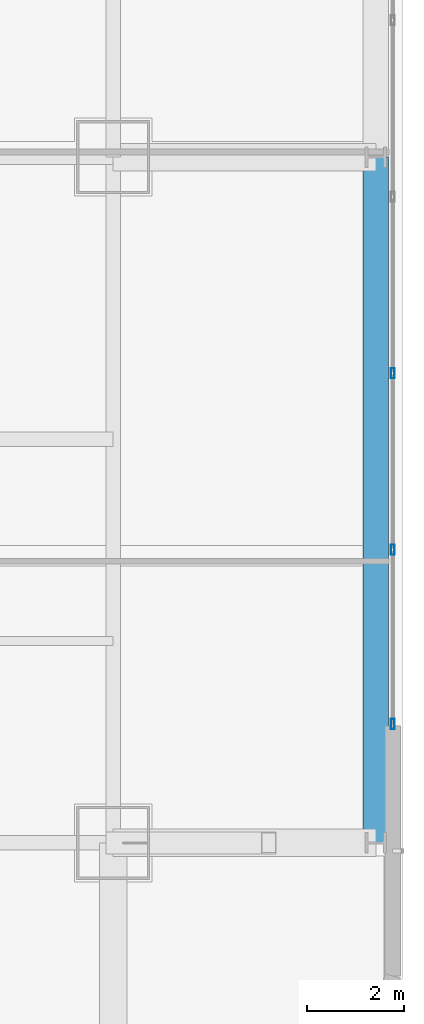
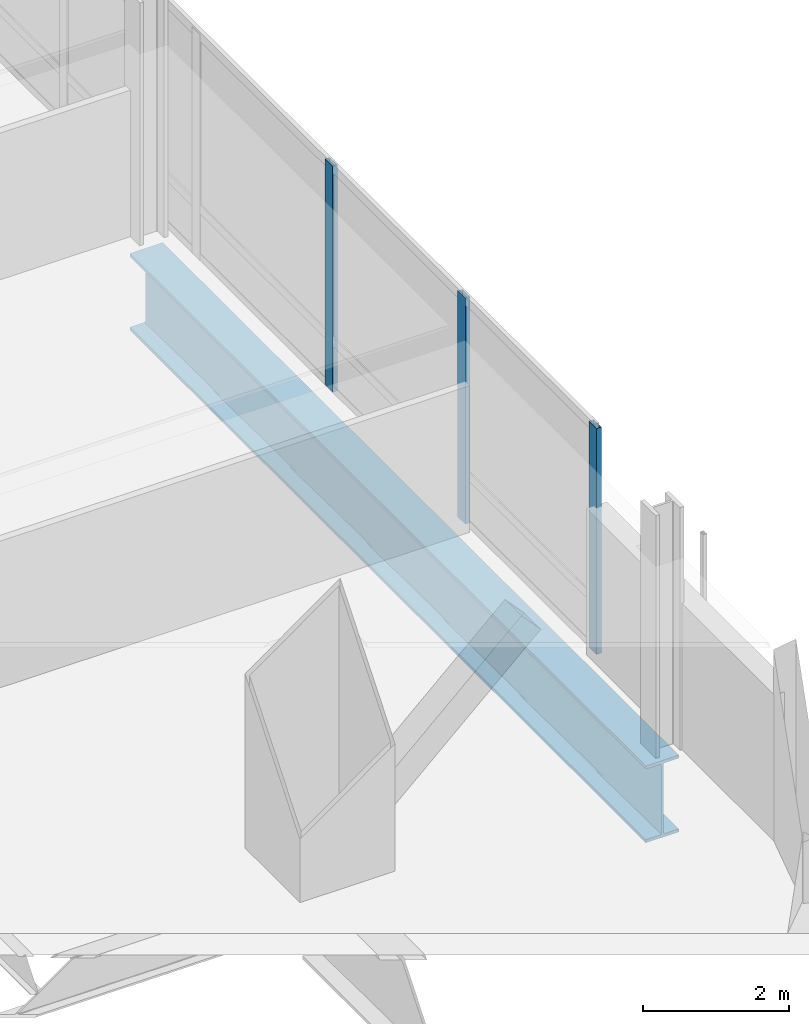
# One storey, part 14 of 42: 3 members, 1 beam, 1 element without a shape of its own.
"""IFC4 building model written with IfcOpenShell, lengths in metres."""

from ifc_helpers import new_model, si_unit, direction, frame, origin, origin_2d, place, context, subcontext, project, spatial, hollow_rectangle, i_section, extrude, material, material_profile, profile_set, type_object, element, aggregate, save


model = new_model("IFC4")

# Units and contexts
model_context = context("Model", 3, precision=1e-05, world=origin(), true_north=direction((0.0, 1.0)))
body_context = subcontext(model_context, "Body", "Model", "MODEL_VIEW")
ifc_project = project(units=[si_unit("LENGTHUNIT", "METRE"), si_unit("AREAUNIT", "SQUARE_METRE"), si_unit("VOLUMEUNIT", "CUBIC_METRE"), si_unit("PLANEANGLEUNIT", "RADIAN"), si_unit("MASSUNIT", "GRAM", prefix="KILO")], contexts=[model_context])

# Site, building, storey
site_placement = place(None, origin())
site = spatial("IfcSite", under=ifc_project, at=site_placement, CompositionType="ELEMENT")
building_placement = place(site_placement, origin())
building = spatial("IfcBuilding", under=site, at=building_placement, Name="Punatoya Terracotta Tower", CompositionType="ELEMENT")
storey_placement = place(building_placement, frame((0.0, 0.0, 88.949951171875)))
storey = spatial("IfcBuildingStorey", under=building, at=storey_placement, Name="L20", CompositionType="ELEMENT", Elevation=88.949951171875)

# Beam
ifc_material_1 = material(Name="Steel S460", Category="steel")
ifc_material_profile_1 = material_profile(ifc_material_1, i_section(OverallWidth=0.52001953125, OverallDepth=1.280029296875, WebThickness=0.031982421875, FlangeThickness=0.050048828125, FilletRadius=0.01806640625, at=origin_2d()))
ifc_profile_set_1 = profile_set([ifc_material_profile_1], Name="Steel S460")
beam_type = type_object("IfcBeamType", Name="BM-TG-NCK", PredefinedType="BEAM", material=ifc_profile_set_1)
beam_placement = place(storey_placement, frame((24.5, -17.5, -0.8798828125), z_axis=(0.0, 1.0, 0.0), x_axis=(-1.0, 0.0, 0.0)))
element("IfcBeam", 1, at=beam_placement, inside=storey, type_object=beam_type, Name="BM-L20-PER-E1", PredefinedType="BEAM", context=body_context, shape_type="SweptSolid", body=[
    extrude(i_section(OverallWidth=0.52001953125, OverallDepth=1.280029296875, WebThickness=0.031982421875, FlangeThickness=0.050048828125, FilletRadius=0.01806640625, at=origin_2d()), origin(), (0.0, 0.0, 1.0), 14.10009765625),
])

# Curtain wall, members
ifc_material_2 = material(Name="Aluminium 6063-T6 + Double Low-E Glass", Category="aluminium")
curtain_wall_type = type_object("IfcCurtainWallType", Name="CW-M1", PredefinedType="NOTDEFINED", material=ifc_material_2)
curtain_wall_placement = place(storey_placement, origin())
curtain_wall = element("IfcCurtainWall", 2, at=curtain_wall_placement, inside=storey, type_object=curtain_wall_type, Name="L20 Curtain Wall CW-L20-E05-1", PredefinedType="NOTDEFINED")
ifc_material_3 = material(Name="Aluminium 6063-T6", Category="aluminium")
ifc_material_profile_2 = material_profile(ifc_material_3, hollow_rectangle(XDim=0.074951171875, YDim=0.2099609375, WallThickness=0.00439453125, at=origin_2d()))
ifc_profile_set_2 = profile_set([ifc_material_profile_2], Name="Aluminium 6063-T6")
member_type = type_object("IfcMemberType", Name="CW-MUL-M1", PredefinedType="MULLION", material=ifc_profile_set_2)
member_1_placement = place(storey_placement, frame((24.85009765625, -15.054931640625, 0.0), z_axis=(0.0, 0.0, 1.0), x_axis=(1.0, 0.0, 0.0)))
member_1 = element("IfcMember", 3, at=member_1_placement, type_object=member_type, Name="CW-L20-E05-1 Mullion 00", PredefinedType="MULLION", context=body_context, shape_type="SweptSolid", body=[
    extrude(hollow_rectangle(XDim=0.074951171875, YDim=0.2099609375, WallThickness=0.00439453125, at=origin_2d()), origin(), (0.0, 0.0, 1.0), 3.77001953125),
])
member_2_placement = place(storey_placement, frame((24.85009765625, -11.471435546875, 0.0), z_axis=(0.0, 0.0, 1.0), x_axis=(1.0, 0.0, 0.0)))
member_2 = element("IfcMember", 4, at=member_2_placement, type_object=member_type, Name="CW-L20-E05-1 Mullion 01", PredefinedType="MULLION", context=body_context, shape_type="SweptSolid", body=[
    extrude(hollow_rectangle(XDim=0.074951171875, YDim=0.2099609375, WallThickness=0.00439453125, at=origin_2d()), origin(), (0.0, 0.0, 1.0), 3.77001953125),
])
member_3_placement = place(storey_placement, frame((24.85009765625, -7.843017578125, 0.0), z_axis=(0.0, 0.0, 1.0), x_axis=(1.0, 0.0, 0.0)))
member_3 = element("IfcMember", 5, at=member_3_placement, type_object=member_type, Name="CW-L20-E05-1 Mullion 02", PredefinedType="MULLION", context=body_context, shape_type="SweptSolid", body=[
    extrude(hollow_rectangle(XDim=0.074951171875, YDim=0.2099609375, WallThickness=0.00439453125, at=origin_2d()), origin(), (0.0, 0.0, 1.0), 3.77001953125),
])
aggregate(curtain_wall, [member_1, member_2, member_3])

save(model, "model.ifc")
